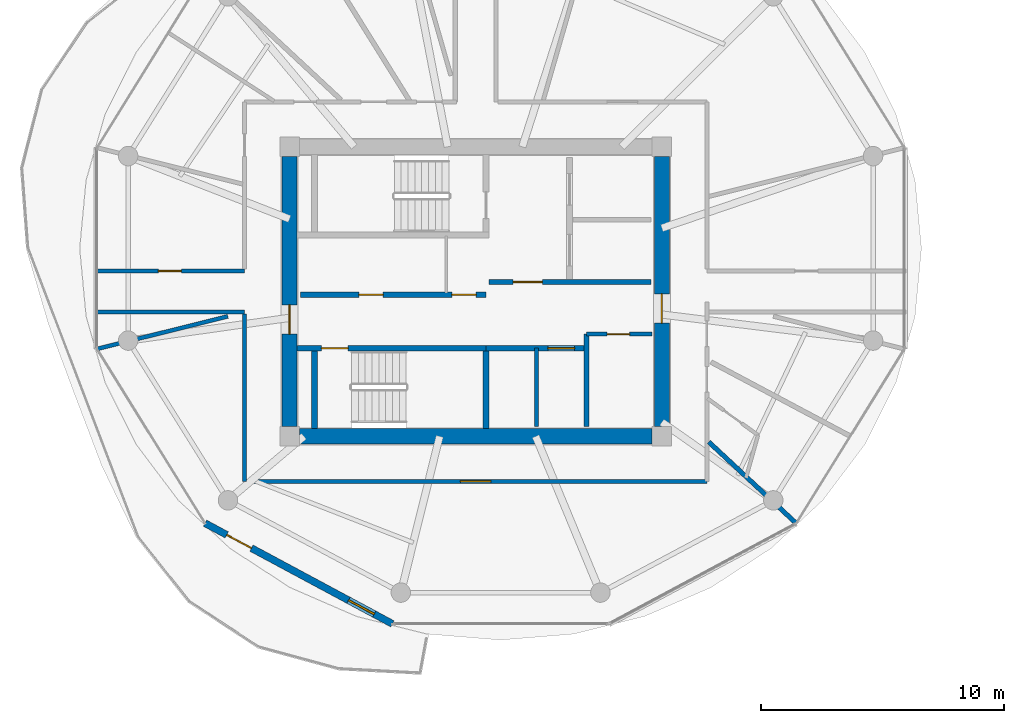
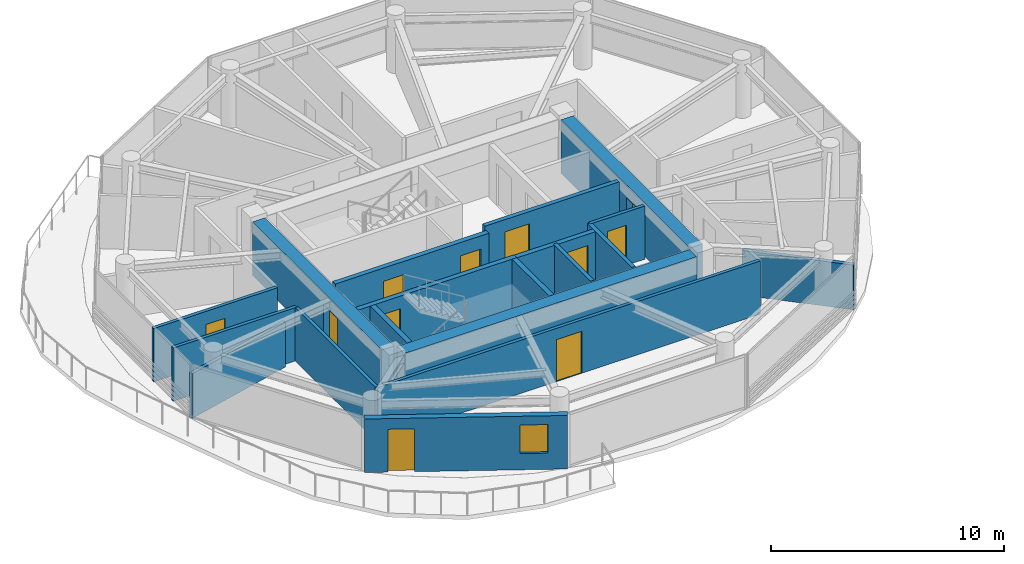
# One storey, part 13 of 23: 19 walls, 11 doors, 1 window, 12 openings.
"""IFC4 building model written with IfcOpenShell, lengths in metres."""

from ifc_helpers import new_model, si_unit, direction, frame, frame_2d, origin, place, context, subcontext, project, spatial, rectangle, extrude, source, transform, mapped, material, layer, layer_set, type_object, type_shapes, element, fill, save


model = new_model("IFC4")

# Units and contexts
model_context = context("Model", 3, precision=1e-05, world=origin(), true_north=direction((0.0, 1.0)))
body_context = subcontext(model_context, "Body", "Model", "MODEL_VIEW")
ifc_project = project(units=[si_unit("LENGTHUNIT", "METRE"), si_unit("AREAUNIT", "SQUARE_METRE"), si_unit("VOLUMEUNIT", "CUBIC_METRE"), si_unit("PLANEANGLEUNIT", "RADIAN"), si_unit("MASSUNIT", "GRAM", prefix="KILO")], contexts=[model_context])

# Site, building, storey
site_placement = place(None, origin())
site = spatial("IfcSite", under=ifc_project, at=site_placement, CompositionType="ELEMENT")
building_placement = place(site_placement, origin())
building = spatial("IfcBuilding", under=site, at=building_placement, Name="Norrkilde Senior Care Towers", CompositionType="ELEMENT")
storey_placement = place(building_placement, frame((0.0, 0.0, 158.699951171875)))
storey = spatial("IfcBuildingStorey", under=building, at=storey_placement, Name="L49", CompositionType="ELEMENT", Elevation=158.699951171875)

# Wall
ifc_material_1 = material(Name="Concrete C50/60", Category="concrete")
ifc_layer_1 = layer(ifc_material_1, 0.6201171875)
ifc_layer_set_1 = layer_set([ifc_layer_1], Name="Concrete C50/60")
wall_type_1 = type_object("IfcWallType", Name="Core Shear Wall Z3 620", PredefinedType="SHEAR", material=ifc_layer_set_1)
shared_shape_1 = source(origin(), body_context, "Body", "SweptSolid", [
    extrude(rectangle(XDim=14.5, YDim=0.6201171875, at=frame_2d((7.25, 0.0))), origin(), (0.0, 0.0, 1.0), 2.81005859375),
])
wall_1_placement = place(storey_placement, frame((-20.75, -5.949951171875, 0.0), z_axis=(0.0, 0.0, 1.0), x_axis=(-1.0, 0.0, 0.0)))
element("IfcWall", 1, at=wall_1_placement, inside=storey, type_object=wall_type_1, Name="L49 Core W South Shear Wall", PredefinedType="SHEAR", context=body_context, shape_type="MappedRepresentation", body=[
    mapped(shared_shape_1, transform((0.0, 0.0, 0.0), x_axis=(1.0, 0.0, 0.0), y_axis=(0.0, 1.0, 0.0), z_axis=(0.0, 0.0, 1.0), scale=1.0)),
])

# Wall, opening, door
shared_shape_2 = source(origin(), body_context, "Body", "SweptSolid", [
    extrude(rectangle(XDim=11.10009765625, YDim=0.6201171875, at=frame_2d((5.550048828125, 0.0))), origin(), (0.0, 0.0, 1.0), 2.81005859375),
])
type_shapes(wall_type_1, [shared_shape_1, shared_shape_2])
wall_2_placement = place(storey_placement, frame((-35.64990234375, -5.550048828125, 0.0), z_axis=(0.0, 0.0, 1.0), x_axis=(0.0, 1.0, 0.0)))
wall_2 = element("IfcWall", 2, at=wall_2_placement, inside=storey, type_object=wall_type_1, Name="L49 Core W West Shear Wall", PredefinedType="SHEAR", context=body_context, shape_type="MappedRepresentation", body=[
    mapped(shared_shape_2, transform((0.0, 0.0, 0.0), x_axis=(1.0, 0.0, 0.0), y_axis=(0.0, 1.0, 0.0), z_axis=(0.0, 0.0, 1.0), scale=1.0)),
])
opening_1_placement = place(wall_2_placement, frame((3.800048828125, 0.0, 0.0)))
opening_1 = element("IfcOpeningElement", 3, at=opening_1_placement, cuts=wall_2, Name="Opening D-04", PredefinedType="OPENING", context=body_context, shape_type="SweptSolid", body=[
    extrude(rectangle(XDim=1.199951171875, YDim=2.14990234375, at=frame_2d((0.60009765625, 1.074951171875))), frame((0.0, 0.320068359375, 0.0), z_axis=(0.0, -1.0, 0.0), x_axis=(1.0, 0.0, 0.0)), (0.0, 0.0, 1.0), 0.64013671875),
])
ifc_material_2 = material(Name="Galvanised Painted Steel", Category="steel")
door_type_1 = type_object("IfcDoorType", Name="Firefighting Lobby Fire Door 1200x2150", OperationType="NOTDEFINED", PredefinedType="DOOR", material=ifc_material_2)
shared_shape_3 = source(origin(), body_context, "Body", "SweptSolid", [
    extrude(rectangle(XDim=1.199951171875, YDim=2.14990234375, at=frame_2d((0.60009765625, 1.074951171875))), frame((0.0, 0.02490234375, 0.0), z_axis=(0.0, -1.0, 0.0), x_axis=(1.0, 0.0, 0.0)), (0.0, 0.0, 1.0), 0.050048828125),
])
type_shapes(door_type_1, [shared_shape_3])
door_1_placement = place(opening_1_placement, frame((1.199951171875, 0.0, 0.0), z_axis=(0.0, 0.0, 1.0), x_axis=(-1.0, 0.0, 0.0)))
door_1 = element("IfcDoor", 4, at=door_1_placement, inside=storey, type_object=door_type_1, Name="L49 Core W West Portal Door", OperationType="SINGLE_SWING_LEFT", OverallHeight=2.14990234375, OverallWidth=1.199951171875, PredefinedType="DOOR", context=body_context, shape_type="MappedRepresentation", body=[
    mapped(shared_shape_3, transform((0.0, 0.0, 0.0), x_axis=(1.0, 0.0, 0.0), y_axis=(0.0, 1.0, 0.0), z_axis=(0.0, 0.0, 1.0), scale=1.0)),
])
fill(opening_1, door_1)

wall_3_placement = place(storey_placement, frame((-20.35009765625, 5.550048828125, 0.0), z_axis=(0.0, 0.0, 1.0), x_axis=(0.0, -1.0, 0.0)))
wall_3 = element("IfcWall", 5, at=wall_3_placement, inside=storey, type_object=wall_type_1, Name="L49 Core W East Shear Wall", PredefinedType="SHEAR", context=body_context, shape_type="MappedRepresentation", body=[
    mapped(shared_shape_2, transform((0.0, 0.0, 0.0), x_axis=(1.0, 0.0, 0.0), y_axis=(0.0, 1.0, 0.0), z_axis=(0.0, 0.0, 1.0), scale=1.0)),
])
opening_2_placement = place(wall_3_placement, frame((5.64990234375, 0.0, 0.0)))
opening_2 = element("IfcOpeningElement", 6, at=opening_2_placement, cuts=wall_3, Name="Opening D-04", PredefinedType="OPENING", context=body_context, shape_type="SweptSolid", body=[
    extrude(rectangle(XDim=1.199951171875, YDim=2.14990234375, at=frame_2d((0.60009765625, 1.074951171875))), frame((0.0, 0.320068359375, 0.0), z_axis=(0.0, -1.0, 0.0), x_axis=(1.0, 0.0, 0.0)), (0.0, 0.0, 1.0), 0.64013671875),
])
door_2_placement = place(opening_2_placement, frame((1.199951171875, 0.0, 0.0), z_axis=(0.0, 0.0, 1.0), x_axis=(-1.0, 0.0, 0.0)))
door_2 = element("IfcDoor", 7, at=door_2_placement, inside=storey, type_object=door_type_1, Name="L49 Core W East Portal Door", OperationType="SINGLE_SWING_RIGHT", OverallHeight=2.14990234375, OverallWidth=1.199951171875, PredefinedType="DOOR", context=body_context, shape_type="MappedRepresentation", body=[
    mapped(shared_shape_3, transform((0.0, 0.0, 0.0), x_axis=(1.0, 0.0, 0.0), y_axis=(0.0, 1.0, 0.0), z_axis=(0.0, 0.0, 1.0), scale=1.0)),
])
fill(opening_2, door_2)

# Wall, openings, door, window
ifc_material_3 = material(Name="Precast concrete C45/55", Category="concrete")
ifc_layer_2 = layer(ifc_material_3, 0.2900390625)
ifc_layer_set_2 = layer_set([ifc_layer_2], Name="Precast concrete C45/55")
wall_type_2 = type_object("IfcWallType", Name="Winter Garden Facade Wall 290", PredefinedType="SOLIDWALL", material=ifc_layer_set_2)
shared_shape_4 = source(origin(), body_context, "Body", "SweptSolid", [
    extrude(rectangle(XDim=8.74169921875, YDim=0.2900390625, at=frame_2d((4.370849609375, 0.0))), origin(), (0.0, 0.0, 1.0), 2.81005859375),
])
type_shapes(wall_type_2, [shared_shape_4])
wall_4_placement = place(storey_placement, frame((-31.421630859375, -13.66015625, 0.0), z_axis=(0.0, 0.0, 1.0), x_axis=(-0.880992489116, 0.473130250693, 0.0)))
wall_4 = element("IfcWall", 8, at=wall_4_placement, inside=storey, type_object=wall_type_2, Name="L49 Drum W Balcony Access Wall 07", PredefinedType="SOLIDWALL", context=body_context, shape_type="MappedRepresentation", body=[
    mapped(shared_shape_4, transform((0.0, 0.0, 0.0), x_axis=(1.0, 0.0, 0.0), y_axis=(0.0, 1.0, 0.0), z_axis=(0.0, 0.0, 1.0), scale=1.0)),
])
opening_3_placement = place(wall_4_placement, frame((6.580078125, 0.0, 0.0)))
opening_3 = element("IfcOpeningElement", 9, at=opening_3_placement, cuts=wall_4, Name="Opening D-09", PredefinedType="OPENING", context=body_context, shape_type="SweptSolid", body=[
    extrude(rectangle(XDim=1.14990234375, YDim=2.25, at=frame_2d((0.574951171875, 1.125))), frame((0.0, 0.155029296875, 0.0), z_axis=(0.0, -1.0, 0.0), x_axis=(1.0, 0.0, 0.0)), (0.0, 0.0, 1.0), 0.31005859375),
])
opening_4_placement = place(wall_4_placement, frame((0.85009765625, 0.0, 0.85009765625)))
opening_4 = element("IfcOpeningElement", 10, at=opening_4_placement, cuts=wall_4, Name="Opening WN-07", PredefinedType="OPENING", context=body_context, shape_type="SweptSolid", body=[
    extrude(rectangle(XDim=1.199951171875, YDim=1.5, at=frame_2d((0.60009765625, 0.75))), frame((0.0, 0.155029296875, 0.0), z_axis=(0.0, -1.0, 0.0), x_axis=(1.0, 0.0, 0.0)), (0.0, 0.0, 1.0), 0.31005859375),
])
ifc_material_4 = material(Name="Anodised Aluminium", Category="aluminium")
door_type_2 = type_object("IfcDoorType", Name="Terrace and Balcony Glazed Door 1150x2250", OperationType="NOTDEFINED", PredefinedType="DOOR", material=ifc_material_4)
shared_shape_5 = source(origin(), body_context, "Body", "SweptSolid", [
    extrude(rectangle(XDim=1.14990234375, YDim=2.25, at=frame_2d((0.574951171875, 1.125))), frame((0.0, 0.02490234375, 0.0), z_axis=(0.0, -1.0, 0.0), x_axis=(1.0, 0.0, 0.0)), (0.0, 0.0, 1.0), 0.050048828125),
])
type_shapes(door_type_2, [shared_shape_5])
door_3_placement = place(opening_3_placement, origin())
door_3 = element("IfcDoor", 11, at=door_3_placement, inside=storey, type_object=door_type_2, Name="L49 Drum W Outdoor Terrace Door 07", OperationType="SINGLE_SWING_RIGHT", OverallHeight=2.25, OverallWidth=1.14990234375, PredefinedType="DOOR", context=body_context, shape_type="MappedRepresentation", body=[
    mapped(shared_shape_5, transform((0.0, 0.0, 0.0), x_axis=(1.0, 0.0, 0.0), y_axis=(0.0, 1.0, 0.0), z_axis=(0.0, 0.0, 1.0), scale=1.0)),
])
fill(opening_3, door_3)
ifc_material_5 = material(Name="Triple Low-E Insulated Glazing", Category="glass")
window_type = type_object("IfcWindowType", Name="Stairwell Smoke Vent Window 1200x1500", PartitioningType="SINGLE_PANEL", PredefinedType="WINDOW", material=ifc_material_5)
shared_shape_6 = source(origin(), body_context, "Body", "SweptSolid", [
    extrude(rectangle(XDim=1.199951171875, YDim=1.5, at=frame_2d((0.60009765625, 0.75))), frame((0.0, 0.030029296875, 0.0), z_axis=(0.0, -1.0, 0.0), x_axis=(1.0, 0.0, 0.0)), (0.0, 0.0, 1.0), 0.06005859375),
])
type_shapes(window_type, [shared_shape_6])
window_placement = place(opening_4_placement, origin())
window = element("IfcWindow", 12, at=window_placement, inside=storey, type_object=window_type, Name="L49 Drum W Winter Garden Window 07", OverallHeight=1.5, OverallWidth=1.199951171875, PartitioningType="SINGLE_PANEL", PredefinedType="WINDOW", context=body_context, shape_type="MappedRepresentation", body=[
    mapped(shared_shape_6, transform((0.0, 0.0, 0.0), x_axis=(1.0, 0.0, 0.0), y_axis=(0.0, 1.0, 0.0), z_axis=(0.0, 0.0, 1.0), scale=1.0)),
])
fill(opening_4, window)

# Wall, opening, door
ifc_material_6 = material(Name="Concrete C45/55", Category="concrete")
ifc_layer_3 = layer(ifc_material_6, 0.239990234375)
ifc_layer_set_3 = layer_set([ifc_layer_3], Name="Concrete C45/55")
wall_type_3 = type_object("IfcWallType", Name="Shaft and Stair Enclosure Wall 240", PredefinedType="PARTITIONING", material=ifc_layer_set_3)
shared_shape_7 = source(origin(), body_context, "Body", "SweptSolid", [
    extrude(rectangle(XDim=7.880126953125, YDim=0.239990234375, at=frame_2d((3.93994140625, 0.0))), origin(), (0.0, 0.0, 1.0), 2.81005859375),
])
wall_5_placement = place(storey_placement, frame((-35.340087890625, -2.330078125, 0.0), z_axis=(0.0, 0.0, 1.0), x_axis=(1.0, 0.0, 0.0)))
wall_5 = element("IfcWall", 13, at=wall_5_placement, inside=storey, type_object=wall_type_3, Name="WL-INT-L49-W-ST2N", PredefinedType="PARTITIONING", context=body_context, shape_type="MappedRepresentation", body=[
    mapped(shared_shape_7, transform((0.0, 0.0, 0.0), x_axis=(1.0, 0.0, 0.0), y_axis=(0.0, 1.0, 0.0), z_axis=(0.0, 0.0, 1.0), scale=1.0)),
])
opening_5_placement = place(wall_5_placement, frame((1.0, 0.0, 0.0)))
opening_5 = element("IfcOpeningElement", 14, at=opening_5_placement, cuts=wall_5, Name="Opening D-03", PredefinedType="OPENING", context=body_context, shape_type="SweptSolid", body=[
    extrude(rectangle(XDim=1.10009765625, YDim=2.14990234375, at=frame_2d((0.550048828125, 1.074951171875))), frame((0.0, 0.1298828125, 0.0), z_axis=(0.0, -1.0, 0.0), x_axis=(1.0, 0.0, 0.0)), (0.0, 0.0, 1.0), 0.260009765625),
])
door_type_3 = type_object("IfcDoorType", Name="Stairwell Protected Fire Door 1100x2150", OperationType="NOTDEFINED", PredefinedType="DOOR", material=ifc_material_2)
shared_shape_8 = source(origin(), body_context, "Body", "SweptSolid", [
    extrude(rectangle(XDim=1.10009765625, YDim=2.14990234375, at=frame_2d((0.550048828125, 1.074951171875))), frame((0.0, 0.02490234375, 0.0), z_axis=(0.0, -1.0, 0.0), x_axis=(1.0, 0.0, 0.0)), (0.0, 0.0, 1.0), 0.050048828125),
])
type_shapes(door_type_3, [shared_shape_8])
door_4_placement = place(opening_5_placement, frame((1.10009765625, 0.0, 0.0), z_axis=(0.0, 0.0, 1.0), x_axis=(-1.0, 0.0, 0.0)))
door_4 = element("IfcDoor", 15, at=door_4_placement, inside=storey, type_object=door_type_3, Name="L49 Stair W2 Fire Door", OperationType="SINGLE_SWING_RIGHT", OverallHeight=2.14990234375, OverallWidth=1.10009765625, PredefinedType="DOOR", context=body_context, shape_type="MappedRepresentation", body=[
    mapped(shared_shape_8, transform((0.0, 0.0, 0.0), x_axis=(1.0, 0.0, 0.0), y_axis=(0.0, 1.0, 0.0), z_axis=(0.0, 0.0, 1.0), scale=1.0)),
])
fill(opening_5, door_4)

# Walls
shared_shape_9 = source(origin(), body_context, "Body", "SweptSolid", [
    extrude(rectangle(XDim=3.18994140625, YDim=0.239990234375, at=frame_2d((1.594970703125, 0.0))), origin(), (0.0, 0.0, 1.0), 2.81005859375),
])
type_shapes(wall_type_3, [shared_shape_7, shared_shape_9])
for number, where, z_axis, x_axis, name in (
    (16, (-34.6201171875, -5.639892578125, 0.0), (0.0, 0.0, 1.0), (0.0, 1.0, 0.0), "WL-INT-L49-W-ST2W"),
    (17, (-27.580078125, -5.639892578125, 0.0), (0.0, 0.0, 1.0), (0.0, 1.0, 0.0), "WL-INT-L49-W-ST2E"),
):
    element("IfcWall", number, at=place(storey_placement, frame(where, z_axis=z_axis, x_axis=x_axis)), inside=storey, type_object=wall_type_3, Name=name, PredefinedType="PARTITIONING", context=body_context, shape_type="MappedRepresentation", body=[
        mapped(shared_shape_9, transform((0.0, 0.0, 0.0), x_axis=(1.0, 0.0, 0.0), y_axis=(0.0, 1.0, 0.0), z_axis=(0.0, 0.0, 1.0), scale=1.0)),
    ])

# Wall, opening, door
ifc_layer_4 = layer(ifc_material_6, 0.2099609375)
ifc_layer_set_4 = layer_set([ifc_layer_4], Name="Concrete C45/55")
wall_type_4 = type_object("IfcWallType", Name="Firefighting Lobby Wall 210", PredefinedType="PARTITIONING", material=ifc_layer_set_4)
shared_shape_10 = source(origin(), body_context, "Body", "SweptSolid", [
    extrude(rectangle(XDim=6.659912109375, YDim=0.2099609375, at=frame_2d((3.330078125, 0.0))), origin(), (0.0, 0.0, 1.0), 2.795166015625),
])
type_shapes(wall_type_4, [shared_shape_10])
wall_6_placement = place(storey_placement, frame((-27.4599609375, 0.389892578125, 0.0), z_axis=(0.0, 0.0, 1.0), x_axis=(1.0, 0.0, 0.0)))
wall_6 = element("IfcWall", 18, at=wall_6_placement, inside=storey, type_object=wall_type_4, Name="WL-INT-L49-W-FFLS", PredefinedType="PARTITIONING", context=body_context, shape_type="MappedRepresentation", body=[
    mapped(shared_shape_10, transform((0.0, 0.0, 0.0), x_axis=(1.0, 0.0, 0.0), y_axis=(0.0, 1.0, 0.0), z_axis=(0.0, 0.0, 1.0), scale=1.0)),
])
opening_6_placement = place(wall_6_placement, frame((1.0, 0.0, 0.0)))
opening_6 = element("IfcOpeningElement", 19, at=opening_6_placement, cuts=wall_6, Name="Opening D-04", PredefinedType="OPENING", context=body_context, shape_type="SweptSolid", body=[
    extrude(rectangle(XDim=1.199951171875, YDim=2.14990234375, at=frame_2d((0.60009765625, 1.074951171875))), frame((0.0, 0.114990234375, 0.0), z_axis=(0.0, -1.0, 0.0), x_axis=(1.0, 0.0, 0.0)), (0.0, 0.0, 1.0), 0.22998046875),
])
door_5_placement = place(opening_6_placement, frame((1.199951171875, 0.0, 0.0), z_axis=(0.0, 0.0, 1.0), x_axis=(-1.0, 0.0, 0.0)))
door_5 = element("IfcDoor", 20, at=door_5_placement, inside=storey, type_object=door_type_1, Name="L49 Firefighting Lobby W Door", OperationType="SINGLE_SWING_LEFT", OverallHeight=2.14990234375, OverallWidth=1.199951171875, PredefinedType="DOOR", context=body_context, shape_type="MappedRepresentation", body=[
    mapped(shared_shape_3, transform((0.0, 0.0, 0.0), x_axis=(1.0, 0.0, 0.0), y_axis=(0.0, 1.0, 0.0), z_axis=(0.0, 0.0, 1.0), scale=1.0)),
])
fill(opening_6, door_5)

# Wall, openings, doors
ifc_layer_5 = layer(ifc_material_6, 0.239990234375)
ifc_layer_set_5 = layer_set([ifc_layer_5], Name="Concrete C45/55")
wall_type_5 = type_object("IfcWallType", Name="Lift and Plant Rated Enclosure Partition 240", PredefinedType="PARTITIONING", material=ifc_layer_set_5)
shared_shape_11 = source(origin(), body_context, "Body", "SweptSolid", [
    extrude(rectangle(XDim=7.619873046875, YDim=0.239990234375, at=frame_2d((3.81005859375, 0.0))), origin(), (0.0, 0.0, 1.0), 2.795166015625),
])
wall_7_placement = place(storey_placement, frame((-35.199951171875, -0.1298828125, 0.0), z_axis=(0.0, 0.0, 1.0), x_axis=(1.0, 0.0, 0.0)))
wall_7 = element("IfcWall", 21, at=wall_7_placement, inside=storey, type_object=wall_type_5, Name="WL-INT-L49-W-PKAS", PredefinedType="PARTITIONING", context=body_context, shape_type="MappedRepresentation", body=[
    mapped(shared_shape_11, transform((0.0, 0.0, 0.0), x_axis=(1.0, 0.0, 0.0), y_axis=(0.0, 1.0, 0.0), z_axis=(0.0, 0.0, 1.0), scale=1.0)),
])
opening_7_placement = place(wall_7_placement, frame((6.219970703125, 0.0, 0.0)))
opening_7 = element("IfcOpeningElement", 22, at=opening_7_placement, cuts=wall_7, Name="Opening D-10", PredefinedType="OPENING", context=body_context, shape_type="SweptSolid", body=[
    extrude(rectangle(XDim=1.0, YDim=2.10009765625, at=frame_2d((0.5, 1.050048828125))), frame((0.0, 0.1298828125, 0.0), z_axis=(0.0, -1.0, 0.0), x_axis=(1.0, 0.0, 0.0)), (0.0, 0.0, 1.0), 0.260009765625),
])
opening_8_placement = place(wall_7_placement, frame((2.39990234375, 0.0, 0.0)))
opening_8 = element("IfcOpeningElement", 23, at=opening_8_placement, cuts=wall_7, Name="Opening D-10", PredefinedType="OPENING", context=body_context, shape_type="SweptSolid", body=[
    extrude(rectangle(XDim=1.0, YDim=2.10009765625, at=frame_2d((0.5, 1.050048828125))), frame((0.0, 0.1298828125, 0.0), z_axis=(0.0, -1.0, 0.0), x_axis=(1.0, 0.0, 0.0)), (0.0, 0.0, 1.0), 0.260009765625),
])
door_type_4 = type_object("IfcDoorType", Name="Plant and Riser Rated Door 1000x2100", OperationType="NOTDEFINED", PredefinedType="DOOR", material=ifc_material_2)
shared_shape_12 = source(origin(), body_context, "Body", "SweptSolid", [
    extrude(rectangle(XDim=1.0, YDim=2.10009765625, at=frame_2d((0.5, 1.050048828125))), frame((0.0, 0.02490234375, 0.0), z_axis=(0.0, -1.0, 0.0), x_axis=(1.0, 0.0, 0.0)), (0.0, 0.0, 1.0), 0.050048828125),
])
type_shapes(door_type_4, [shared_shape_12])
door_6_placement = place(opening_7_placement, frame((1.0, 0.0, 0.0), z_axis=(0.0, 0.0, 1.0), x_axis=(-1.0, 0.0, 0.0)))
door_6 = element("IfcDoor", 24, at=door_6_placement, inside=storey, type_object=door_type_4, Name="L49 Electrical Riser W Door", OperationType="SINGLE_SWING_LEFT", OverallHeight=2.10009765625, OverallWidth=1.0, PredefinedType="DOOR", context=body_context, shape_type="MappedRepresentation", body=[
    mapped(shared_shape_12, transform((0.0, 0.0, 0.0), x_axis=(1.0, 0.0, 0.0), y_axis=(0.0, 1.0, 0.0), z_axis=(0.0, 0.0, 1.0), scale=1.0)),
])
fill(opening_7, door_6)
door_7_placement = place(opening_8_placement, frame((1.0, 0.0, 0.0), z_axis=(0.0, 0.0, 1.0), x_axis=(-1.0, 0.0, 0.0)))
door_7 = element("IfcDoor", 25, at=door_7_placement, inside=storey, type_object=door_type_4, Name="L49 Clean Supply Store W Door", OperationType="SINGLE_SWING_LEFT", OverallHeight=2.10009765625, OverallWidth=1.0, PredefinedType="DOOR", context=body_context, shape_type="MappedRepresentation", body=[
    mapped(shared_shape_12, transform((0.0, 0.0, 0.0), x_axis=(1.0, 0.0, 0.0), y_axis=(0.0, 1.0, 0.0), z_axis=(0.0, 0.0, 1.0), scale=1.0)),
])
fill(opening_8, door_7)

# Wall
ifc_layer_6 = layer(ifc_material_6, 0.199951171875)
ifc_layer_set_6 = layer_set([ifc_layer_6], Name="Concrete C45/55")
wall_type_6 = type_object("IfcWallType", Name="Shaft Division and Plant Partition 200", PredefinedType="PARTITIONING", material=ifc_layer_set_6)
shared_shape_13 = source(origin(), body_context, "Body", "SweptSolid", [
    extrude(rectangle(XDim=3.800048828125, YDim=0.199951171875, at=frame_2d((1.89990234375, 0.0))), origin(), (0.0, 0.0, 1.0), 2.795166015625),
])
type_shapes(wall_type_6, [shared_shape_13])
wall_8_placement = place(storey_placement, frame((-23.449951171875, -5.550048828125, 0.0), z_axis=(0.0, 0.0, 1.0), x_axis=(0.0, 1.0, 0.0)))
element("IfcWall", 26, at=wall_8_placement, inside=storey, type_object=wall_type_6, Name="WL-INT-L49-W-PKBE", PredefinedType="PARTITIONING", context=body_context, shape_type="MappedRepresentation", body=[
    mapped(shared_shape_13, transform((0.0, 0.0, 0.0), x_axis=(1.0, 0.0, 0.0), y_axis=(0.0, 1.0, 0.0), z_axis=(0.0, 0.0, 1.0), scale=1.0)),
])

# Wall, opening, door
shared_shape_14 = source(origin(), body_context, "Body", "SweptSolid", [
    extrude(rectangle(XDim=4.130126953125, YDim=0.239990234375, at=frame_2d((2.06494140625, 0.0))), origin(), (0.0, 0.0, 1.0), 2.795166015625),
])
type_shapes(wall_type_5, [shared_shape_11, shared_shape_14])
wall_9_placement = place(storey_placement, frame((-27.580078125, -2.330078125, 0.0), z_axis=(0.0, 0.0, 1.0), x_axis=(1.0, 0.0, 0.0)))
wall_9 = element("IfcWall", 27, at=wall_9_placement, inside=storey, type_object=wall_type_5, Name="WL-INT-L49-W-PKBN", PredefinedType="PARTITIONING", context=body_context, shape_type="MappedRepresentation", body=[
    mapped(shared_shape_14, transform((0.0, 0.0, 0.0), x_axis=(1.0, 0.0, 0.0), y_axis=(0.0, 1.0, 0.0), z_axis=(0.0, 0.0, 1.0), scale=1.0)),
])
opening_9_placement = place(wall_9_placement, frame((2.550048828125, 0.0, 0.0)))
opening_9 = element("IfcOpeningElement", 28, at=opening_9_placement, cuts=wall_9, Name="Opening LD-01", PredefinedType="OPENING", context=body_context, shape_type="SweptSolid", body=[
    extrude(rectangle(XDim=1.10009765625, YDim=2.199951171875, at=frame_2d((0.550048828125, 1.10009765625))), frame((0.0, 0.1298828125, 0.0), z_axis=(0.0, -1.0, 0.0), x_axis=(1.0, 0.0, 0.0)), (0.0, 0.0, 1.0), 0.260009765625),
])
ifc_material_7 = material(Name="Stainless Steel", Category="steel")
door_type_5 = type_object("IfcDoorType", Name="Lift Landing Sliding Door 1100x2200", OperationType="NOTDEFINED", PredefinedType="DOOR", material=ifc_material_7)
shared_shape_15 = source(origin(), body_context, "Body", "SweptSolid", [
    extrude(rectangle(XDim=1.10009765625, YDim=2.199951171875, at=frame_2d((0.550048828125, 1.10009765625))), frame((0.0, 0.02490234375, 0.0), z_axis=(0.0, -1.0, 0.0), x_axis=(1.0, 0.0, 0.0)), (0.0, 0.0, 1.0), 0.050048828125),
])
type_shapes(door_type_5, [shared_shape_15])
door_8_placement = place(opening_9_placement, frame((1.10009765625, 0.0, 0.0), z_axis=(0.0, 0.0, 1.0), x_axis=(-1.0, 0.0, 0.0)))
door_8 = element("IfcDoor", 29, at=door_8_placement, inside=storey, type_object=door_type_5, Name="L49 Passenger Lift W4 Landing Door", OperationType="SLIDING_TO_RIGHT", OverallHeight=2.199951171875, OverallWidth=1.10009765625, PredefinedType="DOOR", context=body_context, shape_type="MappedRepresentation", body=[
    mapped(shared_shape_15, transform((0.0, 0.0, 0.0), x_axis=(1.0, 0.0, 0.0), y_axis=(0.0, 1.0, 0.0), z_axis=(0.0, 0.0, 1.0), scale=1.0)),
])
fill(opening_9, door_8)

# Wall
ifc_layer_7 = layer(ifc_material_6, 0.179931640625)
ifc_layer_set_7 = layer_set([ifc_layer_7], Name="Concrete C45/55")
wall_type_7 = type_object("IfcWallType", Name="Hoistway Division Rated Partition 180", PredefinedType="PARTITIONING", material=ifc_layer_set_7)
shared_shape_16 = source(origin(), body_context, "Body", "SweptSolid", [
    extrude(rectangle(XDim=3.219970703125, YDim=0.179931640625, at=frame_2d((1.60986328125, 0.0))), origin(), (0.0, 0.0, 1.0), 2.795166015625),
])
type_shapes(wall_type_7, [shared_shape_16])
wall_10_placement = place(storey_placement, frame((-25.5, -5.550048828125, 0.0), z_axis=(0.0, 0.0, 1.0), x_axis=(0.0, 1.0, 0.0)))
element("IfcWall", 30, at=wall_10_placement, inside=storey, type_object=wall_type_7, Name="WL-INT-L49-W-PL34", PredefinedType="PARTITIONING", context=body_context, shape_type="MappedRepresentation", body=[
    mapped(shared_shape_16, transform((0.0, 0.0, 0.0), x_axis=(1.0, 0.0, 0.0), y_axis=(0.0, 1.0, 0.0), z_axis=(0.0, 0.0, 1.0), scale=1.0)),
])

# Wall, opening, door
ifc_material_8 = material(Name="Gypsum Acoustic Board")
ifc_layer_8 = layer(ifc_material_8, 0.1650390625)
ifc_layer_set_8 = layer_set([ifc_layer_8], Name="Gypsum Acoustic Board")
wall_type_8 = type_object("IfcWallType", Name="Corridor Rated Partition 165", PredefinedType="PARTITIONING", material=ifc_layer_set_8)
shared_shape_17 = source(origin(), body_context, "Body", "SweptSolid", [
    extrude(rectangle(XDim=2.699951171875, YDim=0.1650390625, at=frame_2d((1.35009765625, 0.0))), origin(), (0.0, 0.0, 1.0), 2.795166015625),
])
wall_11_placement = place(storey_placement, frame((-23.449951171875, -1.75, 0.0), z_axis=(0.0, 0.0, 1.0), x_axis=(1.0, 0.0, 0.0)))
wall_11 = element("IfcWall", 31, at=wall_11_placement, inside=storey, type_object=wall_type_8, Name="WL-INT-L49-W-CSN", PredefinedType="PARTITIONING", context=body_context, shape_type="MappedRepresentation", body=[
    mapped(shared_shape_17, transform((0.0, 0.0, 0.0), x_axis=(1.0, 0.0, 0.0), y_axis=(0.0, 1.0, 0.0), z_axis=(0.0, 0.0, 1.0), scale=1.0)),
])
opening_10_placement = place(wall_11_placement, frame((0.85009765625, 0.0, 0.0)))
opening_10 = element("IfcOpeningElement", 32, at=opening_10_placement, cuts=wall_11, Name="Opening D-12", PredefinedType="OPENING", context=body_context, shape_type="SweptSolid", body=[
    extrude(rectangle(XDim=0.925048828125, YDim=2.10009765625, at=frame_2d((0.46240234375, 1.050048828125))), frame((0.0, 0.092529296875, 0.0), z_axis=(0.0, -1.0, 0.0), x_axis=(1.0, 0.0, 0.0)), (0.0, 0.0, 1.0), 0.18505859375),
])
door_type_6 = type_object("IfcDoorType", Name="Core Wet Room Rated Door 925x2100", OperationType="NOTDEFINED", PredefinedType="DOOR", material=ifc_material_2)
shared_shape_18 = source(origin(), body_context, "Body", "SweptSolid", [
    extrude(rectangle(XDim=0.925048828125, YDim=2.10009765625, at=frame_2d((0.46240234375, 1.050048828125))), frame((0.0, 0.02490234375, 0.0), z_axis=(0.0, -1.0, 0.0), x_axis=(1.0, 0.0, 0.0)), (0.0, 0.0, 1.0), 0.050048828125),
])
type_shapes(door_type_6, [shared_shape_18])
door_9_placement = place(opening_10_placement, origin())
door_9 = element("IfcDoor", 33, at=door_9_placement, inside=storey, type_object=door_type_6, Name="L49 Core Utility W Door", OperationType="SINGLE_SWING_LEFT", OverallHeight=2.10009765625, OverallWidth=0.925048828125, PredefinedType="DOOR", context=body_context, shape_type="MappedRepresentation", body=[
    mapped(shared_shape_18, transform((0.0, 0.0, 0.0), x_axis=(1.0, 0.0, 0.0), y_axis=(0.0, 1.0, 0.0), z_axis=(0.0, 0.0, 1.0), scale=1.0)),
])
fill(opening_10, door_9)

# Wall
ifc_layer_9 = layer(ifc_material_8, 0.18994140625)
ifc_layer_set_9 = layer_set([ifc_layer_9], Name="Gypsum Acoustic Board")
wall_type_9 = type_object("IfcWallType", Name="Unit Demising Acoustic Wall 190", PredefinedType="PARTITIONING", material=ifc_layer_set_9)
shared_shape_19 = source(origin(), body_context, "Body", "SweptSolid", [
    extrude(rectangle(XDim=4.926513671875, YDim=0.18994140625, at=frame_2d((2.46337890625, 0.0))), origin(), (0.0, 0.0, 1.0), 2.344970703125),
])
type_shapes(wall_type_9, [shared_shape_19])
wall_12_placement = place(storey_placement, frame((-18.419921875, -6.182861328125, 0.0), z_axis=(0.0, 0.0, 1.0), x_axis=(0.732191335987, -0.681098999783, 0.0)))
element("IfcWall", 34, at=wall_12_placement, inside=storey, type_object=wall_type_9, Name="WL-INT-L49-W-DEM-10-0", PredefinedType="PARTITIONING", context=body_context, shape_type="MappedRepresentation", body=[
    mapped(shared_shape_19, transform((0.0, 0.0, 0.0), x_axis=(1.0, 0.0, 0.0), y_axis=(0.0, 1.0, 0.0), z_axis=(0.0, 0.0, 1.0), scale=1.0)),
])

# Wall, opening, door
shared_shape_20 = source(origin(), body_context, "Body", "SweptSolid", [
    extrude(rectangle(XDim=19.0, YDim=0.1650390625, at=frame_2d((9.5, 0.0))), origin(), (0.0, 0.0, 1.0), 2.795166015625),
])
wall_13_placement = place(storey_placement, frame((-18.5, -7.800048828125, 0.0), z_axis=(0.0, 0.0, 1.0), x_axis=(-1.0, 0.0, 0.0)))
wall_13 = element("IfcWall", 35, at=wall_13_placement, inside=storey, type_object=wall_type_8, Name="WL-INT-L49-W-CRW-S-0", PredefinedType="PARTITIONING", context=body_context, shape_type="MappedRepresentation", body=[
    mapped(shared_shape_20, transform((0.0, 0.0, 0.0), x_axis=(1.0, 0.0, 0.0), y_axis=(0.0, 1.0, 0.0), z_axis=(0.0, 0.0, 1.0), scale=1.0)),
])
opening_11_placement = place(wall_13_placement, frame((8.875, 0.0, 0.0)))
opening_11 = element("IfcOpeningElement", 36, at=opening_11_placement, cuts=wall_13, Name="Opening D-05", PredefinedType="OPENING", context=body_context, shape_type="SweptSolid", body=[
    extrude(rectangle(XDim=1.25, YDim=2.199951171875, at=frame_2d((0.625, 1.10009765625))), frame((0.0, 0.092529296875, 0.0), z_axis=(0.0, -1.0, 0.0), x_axis=(1.0, 0.0, 0.0)), (0.0, 0.0, 1.0), 0.18505859375),
])
ifc_material_9 = material(Name="Nordic Ash Timber", Category="wood")
door_type_7 = type_object("IfcDoorType", Name="Care Bedroom Bariatric Door 1250x2200", OperationType="NOTDEFINED", PredefinedType="DOOR", material=ifc_material_9)
shared_shape_21 = source(origin(), body_context, "Body", "SweptSolid", [
    extrude(rectangle(XDim=1.25, YDim=2.199951171875, at=frame_2d((0.625, 1.10009765625))), frame((0.0, 0.02490234375, 0.0), z_axis=(0.0, -1.0, 0.0), x_axis=(1.0, 0.0, 0.0)), (0.0, 0.0, 1.0), 0.050048828125),
])
type_shapes(door_type_7, [shared_shape_21])
door_10_placement = place(opening_11_placement, frame((1.25, 0.0, 0.0), z_axis=(0.0, 0.0, 1.0), x_axis=(-1.0, 0.0, 0.0)))
door_10 = element("IfcDoor", 37, at=door_10_placement, inside=storey, type_object=door_type_7, Name="L49 Household Communal Dining Salon Door", OperationType="SINGLE_SWING_LEFT", OverallHeight=2.199951171875, OverallWidth=1.25, PredefinedType="DOOR", context=body_context, shape_type="MappedRepresentation", body=[
    mapped(shared_shape_21, transform((0.0, 0.0, 0.0), x_axis=(1.0, 0.0, 0.0), y_axis=(0.0, 1.0, 0.0), z_axis=(0.0, 0.0, 1.0), scale=1.0)),
])
fill(opening_11, door_10)

# Walls
shared_shape_22 = source(origin(), body_context, "Body", "SweptSolid", [
    extrude(rectangle(XDim=6.880126953125, YDim=0.1650390625, at=frame_2d((3.43994140625, 0.0))), origin(), (0.0, 0.0, 1.0), 2.795166015625),
])
wall_14_placement = place(storey_placement, frame((-37.5, -7.800048828125, 0.0), z_axis=(0.0, 0.0, 1.0), x_axis=(0.0, 1.0, 0.0)))
element("IfcWall", 38, at=wall_14_placement, inside=storey, type_object=wall_type_8, Name="WL-INT-L49-W-CRW-W-0", PredefinedType="PARTITIONING", context=body_context, shape_type="MappedRepresentation", body=[
    mapped(shared_shape_22, transform((0.0, 0.0, 0.0), x_axis=(1.0, 0.0, 0.0), y_axis=(0.0, 1.0, 0.0), z_axis=(0.0, 0.0, 1.0), scale=1.0)),
])
shared_shape_23 = source(origin(), body_context, "Body", "SweptSolid", [
    extrude(rectangle(XDim=5.564208984375, YDim=0.1650390625, at=frame_2d((2.7822265625, 0.0))), origin(), (0.0, 0.0, 1.0), 2.344970703125),
])
wall_15_placement = place(storey_placement, frame((-38.18994140625, -1.02001953125, 0.0), z_axis=(0.0, 0.0, 1.0), x_axis=(-0.97031260977, -0.241854169533, 0.0)))
element("IfcWall", 39, at=wall_15_placement, inside=storey, type_object=wall_type_8, Name="WL-INT-L49-W-DEM-06-0", PredefinedType="PARTITIONING", context=body_context, shape_type="MappedRepresentation", body=[
    mapped(shared_shape_23, transform((0.0, 0.0, 0.0), x_axis=(1.0, 0.0, 0.0), y_axis=(0.0, 1.0, 0.0), z_axis=(0.0, 0.0, 1.0), scale=1.0)),
])

# Wall, opening, door
shared_shape_24 = source(origin(), body_context, "Body", "SweptSolid", [
    extrude(rectangle(XDim=6.138916015625, YDim=0.1650390625, at=frame_2d((3.0693359375, 0.0))), origin(), (0.0, 0.0, 1.0), 2.795166015625),
])
type_shapes(wall_type_8, [shared_shape_17, shared_shape_20, shared_shape_22, shared_shape_23, shared_shape_24])
wall_16_placement = place(storey_placement, frame((-43.638916015625, 0.840087890625, 0.0), z_axis=(0.0, 0.0, 1.0), x_axis=(1.0, 0.0, 0.0)))
wall_16 = element("IfcWall", 40, at=wall_16_placement, inside=storey, type_object=wall_type_8, Name="WL-INT-L49-W-SPK-W1-0", PredefinedType="PARTITIONING", context=body_context, shape_type="MappedRepresentation", body=[
    mapped(shared_shape_24, transform((0.0, 0.0, 0.0), x_axis=(1.0, 0.0, 0.0), y_axis=(0.0, 1.0, 0.0), z_axis=(0.0, 0.0, 1.0), scale=1.0)),
])
opening_12_placement = place(wall_16_placement, frame((2.594482421875, 0.0, 0.0)))
opening_12 = element("IfcOpeningElement", 41, at=opening_12_placement, cuts=wall_16, Name="Opening D-07", PredefinedType="OPENING", context=body_context, shape_type="SweptSolid", body=[
    extrude(rectangle(XDim=0.949951171875, YDim=2.10009765625, at=frame_2d((0.47509765625, 1.050048828125))), frame((0.0, 0.092529296875, 0.0), z_axis=(0.0, -1.0, 0.0), x_axis=(1.0, 0.0, 0.0)), (0.0, 0.0, 1.0), 0.18505859375),
])
door_type_8 = type_object("IfcDoorType", Name="Internal Suite Bedroom Door 950x2100", OperationType="NOTDEFINED", PredefinedType="DOOR", material=ifc_material_9)
shared_shape_25 = source(origin(), body_context, "Body", "SweptSolid", [
    extrude(rectangle(XDim=0.949951171875, YDim=2.10009765625, at=frame_2d((0.47509765625, 1.050048828125))), frame((0.0, 0.02490234375, 0.0), z_axis=(0.0, -1.0, 0.0), x_axis=(1.0, 0.0, 0.0)), (0.0, 0.0, 1.0), 0.050048828125),
])
type_shapes(door_type_8, [shared_shape_25])
door_11_placement = place(opening_12_placement, frame((0.949951171875, 0.0, 0.0), z_axis=(0.0, 0.0, 1.0), x_axis=(-1.0, 0.0, 0.0)))
door_11 = element("IfcDoor", 42, at=door_11_placement, inside=storey, type_object=door_type_8, Name="L49 Sun Reading Lounge 2 Door", OperationType="SINGLE_SWING_LEFT", OverallHeight=2.10009765625, OverallWidth=0.949951171875, PredefinedType="DOOR", context=body_context, shape_type="MappedRepresentation", body=[
    mapped(shared_shape_25, transform((0.0, 0.0, 0.0), x_axis=(1.0, 0.0, 0.0), y_axis=(0.0, 1.0, 0.0), z_axis=(0.0, 0.0, 1.0), scale=1.0)),
])
fill(opening_12, door_11)

# Wall
wall_17_placement = place(storey_placement, frame((-37.5, -0.840087890625, 0.0), z_axis=(0.0, 0.0, 1.0), x_axis=(-1.0, 0.0, 0.0)))
element("IfcWall", 43, at=wall_17_placement, inside=storey, type_object=wall_type_8, Name="WL-INT-L49-W-SPK-W2-0", PredefinedType="PARTITIONING", context=body_context, shape_type="MappedRepresentation", body=[
    mapped(shared_shape_24, transform((0.0, 0.0, 0.0), x_axis=(1.0, 0.0, 0.0), y_axis=(0.0, 1.0, 0.0), z_axis=(0.0, 0.0, 1.0), scale=1.0)),
])

save(model, "model.ifc")
